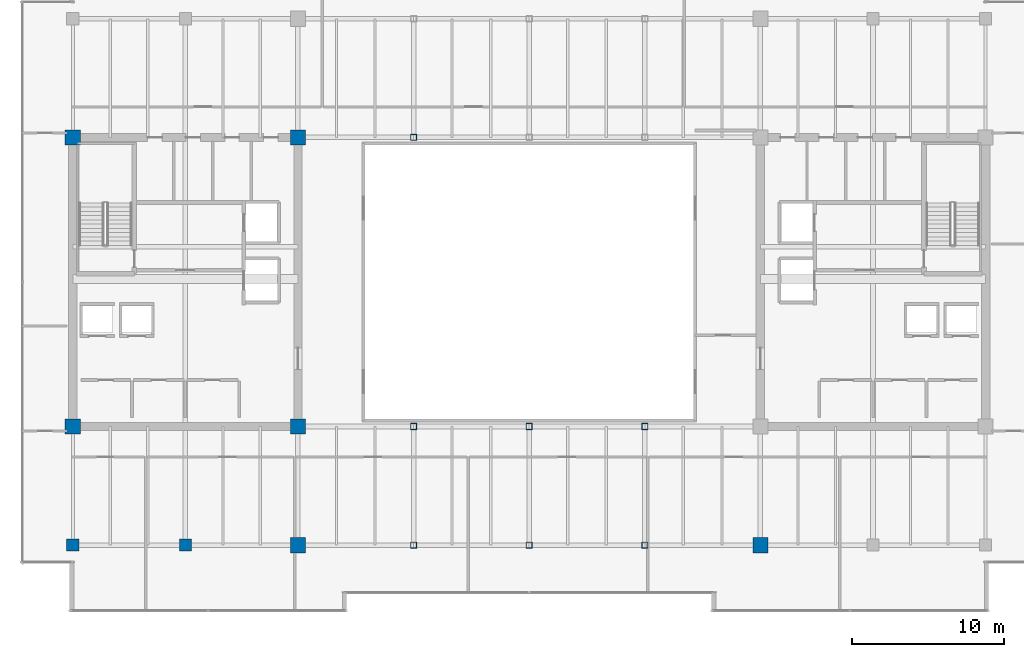
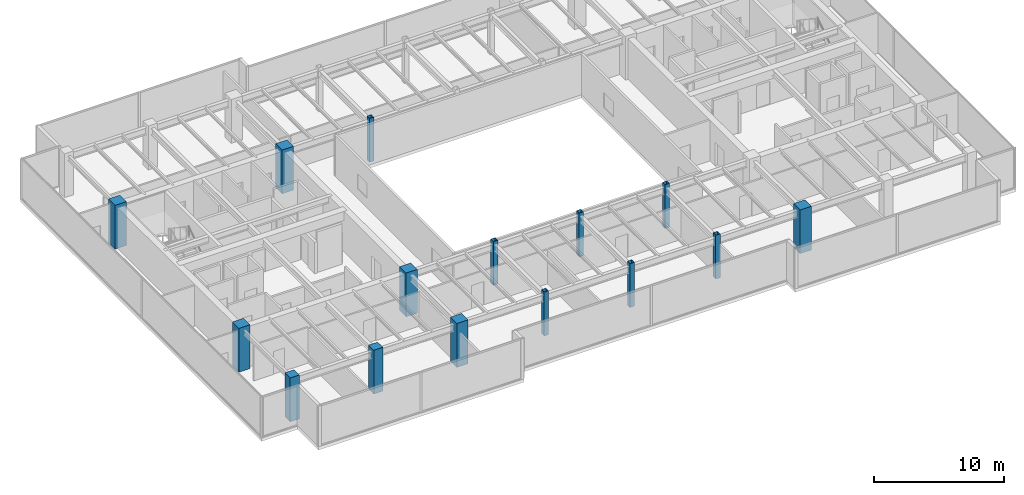
# One storey, part 1 of 33: 15 columns.
"""IFC4 building model written with IfcOpenShell, lengths in metres."""

from ifc_helpers import new_model, si_unit, direction, frame, origin, origin_2d, place, context, subcontext, project, spatial, rectangle, hollow_rectangle, extrude, source, transform, mapped, material, material_profile, profile_set, type_object, type_shapes, element, save


model = new_model("IFC4")

# Units and contexts
model_context = context("Model", 3, precision=1e-05, world=origin(), true_north=direction((0.0, 1.0)))
body_context = subcontext(model_context, "Body", "Model", "MODEL_VIEW")
ifc_project = project(units=[si_unit("LENGTHUNIT", "METRE"), si_unit("AREAUNIT", "SQUARE_METRE"), si_unit("VOLUMEUNIT", "CUBIC_METRE"), si_unit("PLANEANGLEUNIT", "RADIAN"), si_unit("MASSUNIT", "GRAM", prefix="KILO")], contexts=[model_context])

# Site, building, storey
site_placement = place(None, origin())
site = spatial("IfcSite", under=ifc_project, at=site_placement, CompositionType="ELEMENT")
building_placement = place(site_placement, origin())
building = spatial("IfcBuilding", under=site, at=building_placement, Name="Haelvirn Gate Laboratories", CompositionType="ELEMENT")
storey_placement = place(building_placement, frame((0.0, 0.0, 209.60009765625)))
storey = spatial("IfcBuildingStorey", under=building, at=storey_placement, Name="L50", CompositionType="ELEMENT", Elevation=209.60009765625)

# Columns
ifc_material_1 = material(Name="Concrete C60/75", Category="concrete")
ifc_material_profile_1 = material_profile(ifc_material_1, rectangle(XDim=1.0, YDim=1.0, at=origin_2d()), Name="RC-1000x1000")
ifc_profile_set_1 = profile_set([ifc_material_profile_1], Name="Concrete C60/75")
column_type_1 = type_object("IfcColumnType", Name="COL-RC-1000", PredefinedType="COLUMN", material=ifc_profile_set_1)
shared_shape_1 = source(origin(), body_context, "Body", "SweptSolid", [
    extrude(rectangle(XDim=1.0, YDim=1.0, at=origin_2d()), origin(), (0.0, 0.0, 1.0), 4.099853515625),
])
type_shapes(column_type_1, [shared_shape_1])
for number, where, z_axis, x_axis, name in (
    (1, (22.199951171875, 7.0, 0.0), (0.0, 0.0, 1.0), (1.0, 0.0, 0.0), "L50 Column 4B"),
    (2, (7.39990234375, 14.800048828125, 0.0), (0.0, 0.0, 1.0), (1.0, 0.0, 0.0), "L50 Column 2C"),
    (3, (22.199951171875, 14.800048828125, 0.0), (0.0, 0.0, 1.0), (1.0, 0.0, 0.0), "L50 Column 4C"),
    (4, (7.39990234375, 33.800048828125, 0.0), (0.0, 0.0, 1.0), (1.0, 0.0, 0.0), "L50 Column 2F"),
    (5, (22.199951171875, 33.800048828125, 0.0), (0.0, 0.0, 1.0), (1.0, 0.0, 0.0), "L50 Column 4F"),
    (6, (52.60009765625, 7.0, 0.0), (0.0, 0.0, 1.0), (1.0, 0.0, 0.0), "L50 Column 8B"),
):
    element("IfcColumn", number, at=place(storey_placement, frame(where, z_axis=z_axis, x_axis=x_axis)), inside=storey, type_object=column_type_1, Name=name, PredefinedType="COLUMN", context=body_context, shape_type="MappedRepresentation", body=[
        mapped(shared_shape_1, transform((0.0, 0.0, 0.0), scale=1.0)),
    ])
ifc_material_2 = material(Name="Concrete C50/60", Category="concrete")
ifc_material_profile_2 = material_profile(ifc_material_2, rectangle(XDim=0.800048828125, YDim=0.800048828125, at=origin_2d()), Name="RC-800x800")
ifc_profile_set_2 = profile_set([ifc_material_profile_2], Name="Concrete C50/60")
column_type_2 = type_object("IfcColumnType", Name="COL-RC-800", PredefinedType="COLUMN", material=ifc_profile_set_2)
shared_shape_2 = source(origin(), body_context, "Body", "SweptSolid", [
    extrude(rectangle(XDim=0.800048828125, YDim=0.800048828125, at=origin_2d()), origin(), (0.0, 0.0, 1.0), 4.099853515625),
])
type_shapes(column_type_2, [shared_shape_2])
for number, where, z_axis, x_axis, name in (
    (7, (14.800048828125, 7.0, 0.0), (0.0, 0.0, 1.0), (1.0, 0.0, 0.0), "L50 Column 3B"),
    (8, (7.39990234375, 7.0, 0.0), (0.0, 0.0, 1.0), (1.0, 0.0, 0.0), "L50 Column 2B"),
):
    element("IfcColumn", number, at=place(storey_placement, frame(where, z_axis=z_axis, x_axis=x_axis)), inside=storey, type_object=column_type_2, Name=name, PredefinedType="COLUMN", context=body_context, shape_type="MappedRepresentation", body=[
        mapped(shared_shape_2, transform((0.0, 0.0, 0.0), scale=1.0)),
    ])
ifc_material_3 = material(Name="Steel SM355", Category="steel")
ifc_material_profile_3 = material_profile(ifc_material_3, hollow_rectangle(XDim=0.39990234375, YDim=0.39990234375, WallThickness=0.01904296875, at=origin_2d()), Name="BOX-400x400x19")
ifc_profile_set_3 = profile_set([ifc_material_profile_3], Name="Steel SM355")
column_type_3 = type_object("IfcColumnType", Name="COL-BOX-400", PredefinedType="COLUMN", material=ifc_profile_set_3)
shared_shape_3 = source(origin(), body_context, "Body", "SweptSolid", [
    extrude(hollow_rectangle(XDim=0.39990234375, YDim=0.39990234375, WallThickness=0.01904296875, at=origin_2d()), origin(), (0.0, 0.0, 1.0), 4.099853515625),
])
type_shapes(column_type_3, [shared_shape_3])
for number, where, z_axis, x_axis, name in (
    (9, (29.800048828125, 7.0, 0.0), (0.0, 0.0, 1.0), (1.0, 0.0, 0.0), "L50 Column 5B"),
    (10, (29.800048828125, 14.800048828125, 0.0), (0.0, 0.0, 1.0), (1.0, 0.0, 0.0), "L50 Column 5C"),
    (11, (29.800048828125, 33.800048828125, 0.0), (0.0, 0.0, 1.0), (1.0, 0.0, 0.0), "L50 Column 5F"),
    (12, (37.39990234375, 7.0, 0.0), (0.0, 0.0, 1.0), (1.0, 0.0, 0.0), "L50 Column 6B"),
    (13, (37.39990234375, 14.800048828125, 0.0), (0.0, 0.0, 1.0), (1.0, 0.0, 0.0), "L50 Column 6C"),
    (14, (45.0, 7.0, 0.0), (0.0, 0.0, 1.0), (1.0, 0.0, 0.0), "L50 Column 7B"),
    (15, (45.0, 14.800048828125, 0.0), (0.0, 0.0, 1.0), (1.0, 0.0, 0.0), "L50 Column 7C"),
):
    element("IfcColumn", number, at=place(storey_placement, frame(where, z_axis=z_axis, x_axis=x_axis)), inside=storey, type_object=column_type_3, Name=name, PredefinedType="COLUMN", context=body_context, shape_type="MappedRepresentation", body=[
        mapped(shared_shape_3, transform((0.0, 0.0, 0.0), scale=1.0)),
    ])

save(model, "model.ifc")
